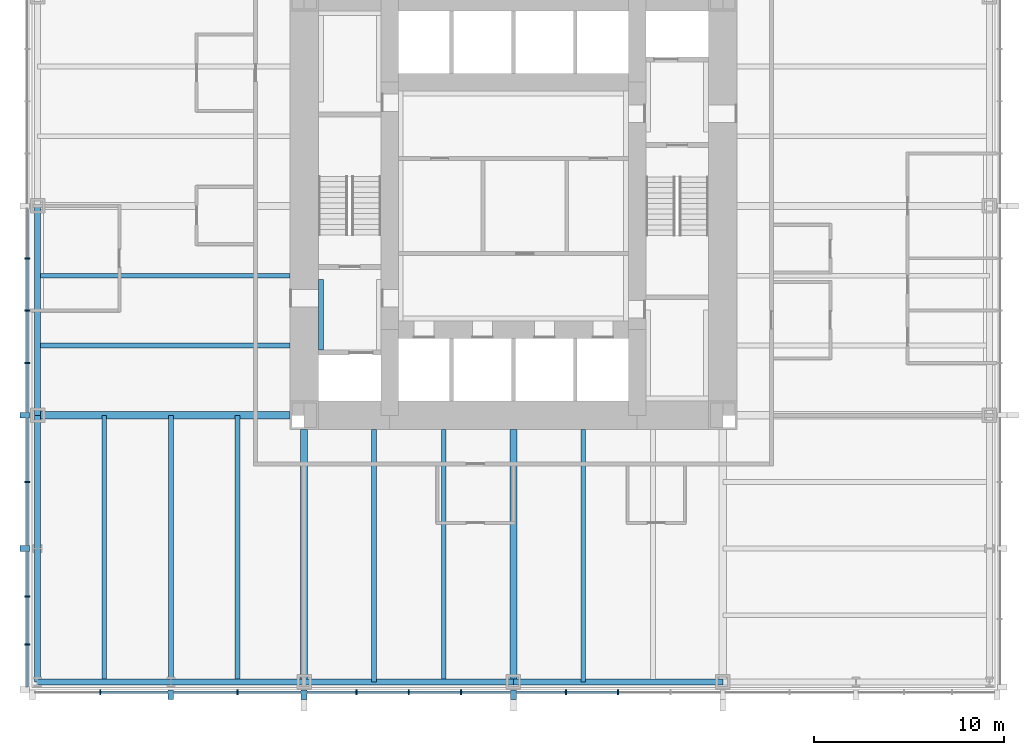
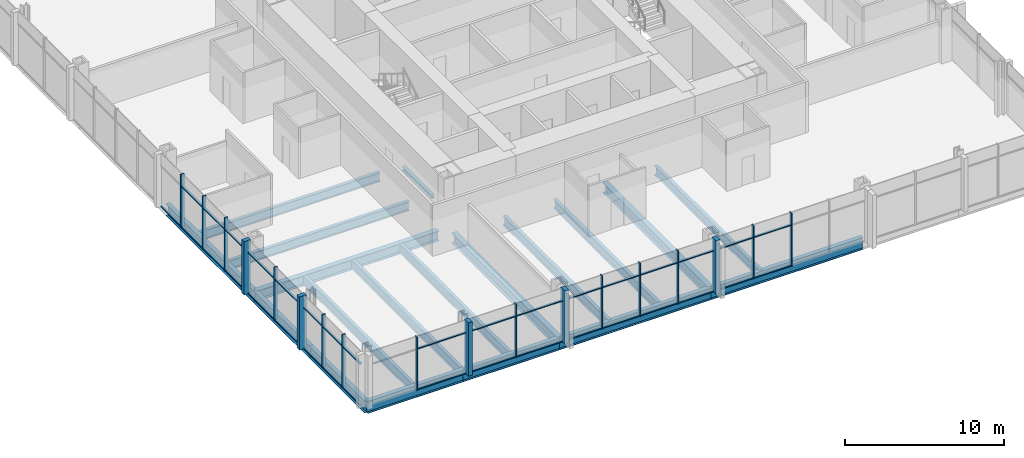
# One storey, part 2 of 12: 53 members, 19 beams, 2 elements without a shape of their own.
"""IFC4 building model written with IfcOpenShell, lengths in metres."""

from ifc_helpers import new_model, si_unit, direction, frame, origin, origin_2d, place, context, subcontext, project, spatial, rectangle, i_section, extrude, material, material_profile, profile_set, type_object, element, aggregate, save


model = new_model("IFC4")

# Units and contexts
model_context = context("Model", 3, precision=1e-05, world=origin(), true_north=direction((0.0, 1.0)))
body_context = subcontext(model_context, "Body", "Model", "MODEL_VIEW")
ifc_project = project(units=[si_unit("LENGTHUNIT", "METRE"), si_unit("AREAUNIT", "SQUARE_METRE"), si_unit("VOLUMEUNIT", "CUBIC_METRE"), si_unit("PLANEANGLEUNIT", "RADIAN"), si_unit("MASSUNIT", "GRAM", prefix="KILO")], contexts=[model_context])

# Site, building, storey
site_placement = place(None, origin())
site = spatial("IfcSite", under=ifc_project, at=site_placement, CompositionType="ELEMENT")
building_placement = place(site_placement, origin())
building = spatial("IfcBuilding", under=site, at=building_placement, Name="Trevanion Tower", CompositionType="ELEMENT")
storey_placement = place(building_placement, frame((0.0, 0.0, 28.300048828125)))
storey = spatial("IfcBuildingStorey", under=building, at=storey_placement, Name="L06", CompositionType="ELEMENT", Elevation=28.300048828125)

# Beams
ifc_material_1 = material(Name="Steel ASTM A992 Grade 50", Category="steel")
ifc_material_profile_1 = material_profile(ifc_material_1, i_section(OverallWidth=0.25390625, OverallDepth=0.700927734375, WebThickness=0.015380859375, FlangeThickness=0.02783203125, at=origin_2d()), Name="W27X129")
ifc_profile_set_1 = profile_set([ifc_material_profile_1], Name="Steel ASTM A992 Grade 50")
beam_type_1 = type_object("IfcBeamType", Name="B3 W27X129", PredefinedType="BEAM", material=ifc_profile_set_1)
for number, where, z_axis, x_axis, name in (
    (1, (-11.75, -3.666748046875, -0.54052734375), (-1.0, 0.0, 0.0), (0.0, -1.0, 0.0), "B3 L06"),
    (2, (-11.75, -7.333251953125, -0.54052734375), (-1.0, 0.0, 0.0), (0.0, -1.0, 0.0), "B3 L06"),
    (3, (-7.333251953125, -11.75, -0.54052734375), (0.0, -1.0, 0.0), (1.0, 0.0, 0.0), "B3 L06"),
    (4, (-3.666748046875, -11.75, -0.54052734375), (0.0, -1.0, 0.0), (1.0, 0.0, 0.0), "B3 L06"),
    (5, (3.666748046875, -11.75, -0.54052734375), (0.0, -1.0, 0.0), (1.0, 0.0, 0.0), "B3 L06"),
):
    element("IfcBeam", number, at=place(storey_placement, frame(where, z_axis=z_axis, x_axis=x_axis)), inside=storey, type_object=beam_type_1, Name=name, PredefinedType="BEAM", context=body_context, shape_type="SweptSolid", body=[
        extrude(i_section(OverallWidth=0.25390625, OverallDepth=0.700927734375, WebThickness=0.015380859375, FlangeThickness=0.02783203125, at=origin_2d()), origin(), (0.0, 0.0, 1.0), 13.25),
    ])
ifc_material_2 = material(Name="Steel ASTM A992 Grade 50", Category="steel")
ifc_material_profile_2 = material_profile(ifc_material_2, i_section(OverallWidth=0.256591796875, OverallDepth=0.693359375, WebThickness=0.014404296875, FlangeThickness=0.023681640625, at=origin_2d()), Name="W27X114")
ifc_profile_set_2 = profile_set([ifc_material_profile_2], Name="Steel ASTM A992 Grade 50")
beam_type_2 = type_object("IfcBeamType", Name="B4 W27X114", PredefinedType="BEAM", material=ifc_profile_set_2)
for number, where, z_axis, x_axis, name in (
    (6, (-14.5, -11.0, -0.536865234375), (0.0, -1.0, 0.0), (1.0, 0.0, 0.0), "B4 L06"),
    (7, (-18.0, -11.0, -0.536865234375), (0.0, -1.0, 0.0), (1.0, 0.0, 0.0), "B4 L06"),
    (8, (-21.5, -11.0, -0.536865234375), (0.0, -1.0, 0.0), (1.0, 0.0, 0.0), "B4 L06"),
):
    element("IfcBeam", number, at=place(storey_placement, frame(where, z_axis=z_axis, x_axis=x_axis)), inside=storey, type_object=beam_type_2, Name=name, PredefinedType="BEAM", context=body_context, shape_type="SweptSolid", body=[
        extrude(i_section(OverallWidth=0.256591796875, OverallDepth=0.693359375, WebThickness=0.014404296875, FlangeThickness=0.023681640625, at=origin_2d()), origin(), (0.0, 0.0, 1.0), 14.0),
    ])

# Curtain wall, members
ifc_material_3 = material(Name="Aluminium and glass", Category="aluminium")
curtain_wall_type = type_object("IfcCurtainWallType", Name="CW1 curtain wall", PredefinedType="USERDEFINED", material=ifc_material_3)
curtain_wall_1_placement = place(storey_placement, origin())
curtain_wall_1 = element("IfcCurtainWall", 9, at=curtain_wall_1_placement, inside=storey, type_object=curtain_wall_type, Name="CW1 L06 2", ObjectType="UNITISED CURTAIN WALL", PredefinedType="USERDEFINED")
ifc_material_4 = material(Name="Aluminium extrusion, anodised bronze", Category="aluminium")
ifc_material_profile_3 = material_profile(ifc_material_4, rectangle(XDim=0.074951171875, YDim=0.25, at=origin_2d()), Name="CW1 mullion")
ifc_profile_set_3 = profile_set([ifc_material_profile_3], Name="Aluminium extrusion, anodised bronze")
member_type_1 = type_object("IfcMemberType", Name="CW1 mullion", PredefinedType="MULLION", material=ifc_profile_set_3)
member_1_placement = place(storey_placement, frame((-25.550048828125, -2.75, -0.18994140625), z_axis=(0.0, 0.0, 1.0), x_axis=(0.0, -1.0, 0.0)))
member_1 = element("IfcMember", 10, at=member_1_placement, type_object=member_type_1, Name="CW1 mullion 10", PredefinedType="MULLION", context=body_context, shape_type="SweptSolid", body=[
    extrude(rectangle(XDim=0.074951171875, YDim=0.25, at=origin_2d()), origin(), (0.0, 0.0, 1.0), 4.099853515625),
])
member_2_placement = place(storey_placement, frame((-25.550048828125, -5.5, -0.18994140625), z_axis=(0.0, 0.0, 1.0), x_axis=(0.0, -1.0, 0.0)))
member_2 = element("IfcMember", 11, at=member_2_placement, type_object=member_type_1, Name="CW1 mullion 11", PredefinedType="MULLION", context=body_context, shape_type="SweptSolid", body=[
    extrude(rectangle(XDim=0.074951171875, YDim=0.25, at=origin_2d()), origin(), (0.0, 0.0, 1.0), 4.099853515625),
])
member_3_placement = place(storey_placement, frame((-25.550048828125, -8.25, -0.18994140625), z_axis=(0.0, 0.0, 1.0), x_axis=(0.0, -1.0, 0.0)))
member_3 = element("IfcMember", 12, at=member_3_placement, type_object=member_type_1, Name="CW1 mullion 12", PredefinedType="MULLION", context=body_context, shape_type="SweptSolid", body=[
    extrude(rectangle(XDim=0.074951171875, YDim=0.25, at=origin_2d()), origin(), (0.0, 0.0, 1.0), 4.099853515625),
])
member_4_placement = place(storey_placement, frame((-25.550048828125, -14.5, -0.18994140625), z_axis=(0.0, 0.0, 1.0), x_axis=(0.0, -1.0, 0.0)))
member_4 = element("IfcMember", 13, at=member_4_placement, type_object=member_type_1, Name="CW1 mullion 14", PredefinedType="MULLION", context=body_context, shape_type="SweptSolid", body=[
    extrude(rectangle(XDim=0.074951171875, YDim=0.25, at=origin_2d()), origin(), (0.0, 0.0, 1.0), 4.099853515625),
])
member_5_placement = place(storey_placement, frame((-25.550048828125, -20.5166015625, -0.18994140625), z_axis=(0.0, 0.0, 1.0), x_axis=(0.0, -1.0, 0.0)))
member_5 = element("IfcMember", 14, at=member_5_placement, type_object=member_type_1, Name="CW1 mullion 16", PredefinedType="MULLION", context=body_context, shape_type="SweptSolid", body=[
    extrude(rectangle(XDim=0.074951171875, YDim=0.25, at=origin_2d()), origin(), (0.0, 0.0, 1.0), 4.099853515625),
])
member_6_placement = place(storey_placement, frame((-25.550048828125, -23.033203125, -0.18994140625), z_axis=(0.0, 0.0, 1.0), x_axis=(0.0, -1.0, 0.0)))
member_6 = element("IfcMember", 15, at=member_6_placement, type_object=member_type_1, Name="CW1 mullion 17", PredefinedType="MULLION", context=body_context, shape_type="SweptSolid", body=[
    extrude(rectangle(XDim=0.074951171875, YDim=0.25, at=origin_2d()), origin(), (0.0, 0.0, 1.0), 4.099853515625),
])

curtain_wall_2_placement = place(storey_placement, origin())
curtain_wall_2 = element("IfcCurtainWall", 16, at=curtain_wall_2_placement, inside=storey, type_object=curtain_wall_type, Name="CW1 L06 3", ObjectType="UNITISED CURTAIN WALL", PredefinedType="USERDEFINED")
member_7_placement = place(storey_placement, frame((-21.7099609375, -25.550048828125, -0.18994140625), z_axis=(0.0, 0.0, 1.0), x_axis=(1.0, 0.0, 0.0)))
member_7 = element("IfcMember", 17, at=member_7_placement, type_object=member_type_1, Name="CW1 mullion 2", PredefinedType="MULLION", context=body_context, shape_type="SweptSolid", body=[
    extrude(rectangle(XDim=0.074951171875, YDim=0.25, at=origin_2d()), origin(), (0.0, 0.0, 1.0), 4.099853515625),
])
member_8_placement = place(storey_placement, frame((-14.5, -25.550048828125, -0.18994140625), z_axis=(0.0, 0.0, 1.0), x_axis=(1.0, 0.0, 0.0)))
member_8 = element("IfcMember", 18, at=member_8_placement, type_object=member_type_1, Name="CW1 mullion 4", PredefinedType="MULLION", context=body_context, shape_type="SweptSolid", body=[
    extrude(rectangle(XDim=0.074951171875, YDim=0.25, at=origin_2d()), origin(), (0.0, 0.0, 1.0), 4.099853515625),
])
member_9_placement = place(storey_placement, frame((-8.25, -25.550048828125, -0.18994140625), z_axis=(0.0, 0.0, 1.0), x_axis=(1.0, 0.0, 0.0)))
member_9 = element("IfcMember", 19, at=member_9_placement, type_object=member_type_1, Name="CW1 mullion 6", PredefinedType="MULLION", context=body_context, shape_type="SweptSolid", body=[
    extrude(rectangle(XDim=0.074951171875, YDim=0.25, at=origin_2d()), origin(), (0.0, 0.0, 1.0), 4.099853515625),
])
member_10_placement = place(storey_placement, frame((-5.5, -25.550048828125, -0.18994140625), z_axis=(0.0, 0.0, 1.0), x_axis=(1.0, 0.0, 0.0)))
member_10 = element("IfcMember", 20, at=member_10_placement, type_object=member_type_1, Name="CW1 mullion 7", PredefinedType="MULLION", context=body_context, shape_type="SweptSolid", body=[
    extrude(rectangle(XDim=0.074951171875, YDim=0.25, at=origin_2d()), origin(), (0.0, 0.0, 1.0), 4.099853515625),
])
member_11_placement = place(storey_placement, frame((-2.75, -25.550048828125, -0.18994140625), z_axis=(0.0, 0.0, 1.0), x_axis=(1.0, 0.0, 0.0)))
member_11 = element("IfcMember", 21, at=member_11_placement, type_object=member_type_1, Name="CW1 mullion 8", PredefinedType="MULLION", context=body_context, shape_type="SweptSolid", body=[
    extrude(rectangle(XDim=0.074951171875, YDim=0.25, at=origin_2d()), origin(), (0.0, 0.0, 1.0), 4.099853515625),
])
member_12_placement = place(storey_placement, frame((2.75, -25.550048828125, -0.18994140625), z_axis=(0.0, 0.0, 1.0), x_axis=(1.0, 0.0, 0.0)))
member_12 = element("IfcMember", 22, at=member_12_placement, type_object=member_type_1, Name="CW1 mullion 10", PredefinedType="MULLION", context=body_context, shape_type="SweptSolid", body=[
    extrude(rectangle(XDim=0.074951171875, YDim=0.25, at=origin_2d()), origin(), (0.0, 0.0, 1.0), 4.099853515625),
])
member_13_placement = place(storey_placement, frame((5.5, -25.550048828125, -0.18994140625), z_axis=(0.0, 0.0, 1.0), x_axis=(1.0, 0.0, 0.0)))
member_13 = element("IfcMember", 23, at=member_13_placement, type_object=member_type_1, Name="CW1 mullion 11", PredefinedType="MULLION", context=body_context, shape_type="SweptSolid", body=[
    extrude(rectangle(XDim=0.074951171875, YDim=0.25, at=origin_2d()), origin(), (0.0, 0.0, 1.0), 4.099853515625),
])

# Member
ifc_material_5 = material(Name="Aluminium extrusion, anodised bronze", Category="aluminium")
ifc_material_profile_4 = material_profile(ifc_material_5, rectangle(XDim=0.300048828125, YDim=0.5, at=origin_2d()), Name="CW1 pier mullion")
ifc_profile_set_4 = profile_set([ifc_material_profile_4], Name="Aluminium extrusion, anodised bronze")
member_type_2 = type_object("IfcMemberType", Name="CW1 pier mullion", PredefinedType="MULLION", material=ifc_profile_set_4)
member_14_placement = place(storey_placement, frame((-25.675048828125, -11.0, -0.18994140625), z_axis=(0.0, 0.0, 1.0), x_axis=(0.0, -1.0, 0.0)))
member_14 = element("IfcMember", 24, at=member_14_placement, type_object=member_type_2, Name="CW1 pier mullion 13", PredefinedType="MULLION", context=body_context, shape_type="SweptSolid", body=[
    extrude(rectangle(XDim=0.300048828125, YDim=0.5, at=origin_2d()), origin(), (0.0, 0.0, 1.0), 4.099853515625),
])

member_15_placement = place(storey_placement, frame((-25.675048828125, -18.0, -0.18994140625), z_axis=(0.0, 0.0, 1.0), x_axis=(0.0, -1.0, 0.0)))
member_15 = element("IfcMember", 25, at=member_15_placement, type_object=member_type_2, Name="CW1 pier mullion 15", PredefinedType="MULLION", context=body_context, shape_type="SweptSolid", body=[
    extrude(rectangle(XDim=0.300048828125, YDim=0.5, at=origin_2d()), origin(), (0.0, 0.0, 1.0), 4.099853515625),
])

member_16_placement = place(storey_placement, frame((-18.0, -25.675048828125, -0.18994140625), z_axis=(0.0, 0.0, 1.0), x_axis=(1.0, 0.0, 0.0)))
member_16 = element("IfcMember", 26, at=member_16_placement, type_object=member_type_2, Name="CW1 pier mullion 3", PredefinedType="MULLION", context=body_context, shape_type="SweptSolid", body=[
    extrude(rectangle(XDim=0.300048828125, YDim=0.5, at=origin_2d()), origin(), (0.0, 0.0, 1.0), 4.099853515625),
])

member_17_placement = place(storey_placement, frame((-11.0, -25.675048828125, -0.18994140625), z_axis=(0.0, 0.0, 1.0), x_axis=(1.0, 0.0, 0.0)))
member_17 = element("IfcMember", 27, at=member_17_placement, type_object=member_type_2, Name="CW1 pier mullion 5", PredefinedType="MULLION", context=body_context, shape_type="SweptSolid", body=[
    extrude(rectangle(XDim=0.300048828125, YDim=0.5, at=origin_2d()), origin(), (0.0, 0.0, 1.0), 4.099853515625),
])

member_18_placement = place(storey_placement, frame((0.0, -25.675048828125, -0.18994140625), z_axis=(0.0, 0.0, 1.0), x_axis=(1.0, 0.0, 0.0)))
member_18 = element("IfcMember", 28, at=member_18_placement, type_object=member_type_2, Name="CW1 pier mullion 9", PredefinedType="MULLION", context=body_context, shape_type="SweptSolid", body=[
    extrude(rectangle(XDim=0.300048828125, YDim=0.5, at=origin_2d()), origin(), (0.0, 0.0, 1.0), 4.099853515625),
])

ifc_material_6 = material(Name="Aluminium extrusion, anodised bronze", Category="aluminium")
ifc_material_profile_5 = material_profile(ifc_material_6, rectangle(XDim=0.14990234375, YDim=0.074951171875, at=origin_2d()), Name="CW1 transom")
ifc_profile_set_5 = profile_set([ifc_material_profile_5], Name="Aluminium extrusion, anodised bronze")
member_type_3 = type_object("IfcMemberType", Name="CW1 transom", PredefinedType="USERDEFINED", material=ifc_profile_set_5)
member_19_placement = place(storey_placement, frame((-25.550048828125, -0.14990234375, -0.152587890625), z_axis=(0.0, -1.0, 0.0), x_axis=(1.0, 0.0, 0.0)))
member_19 = element("IfcMember", 29, at=member_19_placement, type_object=member_type_3, Name="CW1 transom 9.1", ObjectType="TRANSOM", PredefinedType="USERDEFINED", context=body_context, shape_type="SweptSolid", body=[
    extrude(rectangle(XDim=0.14990234375, YDim=0.074951171875, at=origin_2d()), origin(), (0.0, 0.0, 1.0), 2.5625),
])

member_20_placement = place(storey_placement, frame((-25.550048828125, -2.78759765625, -0.152587890625), z_axis=(0.0, -1.0, 0.0), x_axis=(1.0, 0.0, 0.0)))
member_20 = element("IfcMember", 30, at=member_20_placement, type_object=member_type_3, Name="CW1 transom 10.1", ObjectType="TRANSOM", PredefinedType="USERDEFINED", context=body_context, shape_type="SweptSolid", body=[
    extrude(rectangle(XDim=0.14990234375, YDim=0.074951171875, at=origin_2d()), origin(), (0.0, 0.0, 1.0), 2.6748046875),
])

member_21_placement = place(storey_placement, frame((-25.550048828125, -2.78759765625, 2.9599609375), z_axis=(0.0, -1.0, 0.0), x_axis=(1.0, 0.0, 0.0)))
member_21 = element("IfcMember", 31, at=member_21_placement, type_object=member_type_3, Name="CW1 transom 10.2", ObjectType="TRANSOM", PredefinedType="USERDEFINED", context=body_context, shape_type="SweptSolid", body=[
    extrude(rectangle(XDim=0.14990234375, YDim=0.074951171875, at=origin_2d()), origin(), (0.0, 0.0, 1.0), 2.6748046875),
])

member_22_placement = place(storey_placement, frame((-25.550048828125, -5.53759765625, -0.152587890625), z_axis=(0.0, -1.0, 0.0), x_axis=(1.0, 0.0, 0.0)))
member_22 = element("IfcMember", 32, at=member_22_placement, type_object=member_type_3, Name="CW1 transom 11.1", ObjectType="TRANSOM", PredefinedType="USERDEFINED", context=body_context, shape_type="SweptSolid", body=[
    extrude(rectangle(XDim=0.14990234375, YDim=0.074951171875, at=origin_2d()), origin(), (0.0, 0.0, 1.0), 2.6748046875),
])

member_23_placement = place(storey_placement, frame((-25.550048828125, -5.53759765625, 2.9599609375), z_axis=(0.0, -1.0, 0.0), x_axis=(1.0, 0.0, 0.0)))
member_23 = element("IfcMember", 33, at=member_23_placement, type_object=member_type_3, Name="CW1 transom 11.2", ObjectType="TRANSOM", PredefinedType="USERDEFINED", context=body_context, shape_type="SweptSolid", body=[
    extrude(rectangle(XDim=0.14990234375, YDim=0.074951171875, at=origin_2d()), origin(), (0.0, 0.0, 1.0), 2.6748046875),
])

member_24_placement = place(storey_placement, frame((-25.550048828125, -8.28759765625, -0.152587890625), z_axis=(0.0, -1.0, 0.0), x_axis=(1.0, 0.0, 0.0)))
member_24 = element("IfcMember", 34, at=member_24_placement, type_object=member_type_3, Name="CW1 transom 12.1", ObjectType="TRANSOM", PredefinedType="USERDEFINED", context=body_context, shape_type="SweptSolid", body=[
    extrude(rectangle(XDim=0.14990234375, YDim=0.074951171875, at=origin_2d()), origin(), (0.0, 0.0, 1.0), 2.5625),
])

member_25_placement = place(storey_placement, frame((-25.550048828125, -8.28759765625, 2.9599609375), z_axis=(0.0, -1.0, 0.0), x_axis=(1.0, 0.0, 0.0)))
member_25 = element("IfcMember", 35, at=member_25_placement, type_object=member_type_3, Name="CW1 transom 12.2", ObjectType="TRANSOM", PredefinedType="USERDEFINED", context=body_context, shape_type="SweptSolid", body=[
    extrude(rectangle(XDim=0.14990234375, YDim=0.074951171875, at=origin_2d()), origin(), (0.0, 0.0, 1.0), 2.5625),
])

member_26_placement = place(storey_placement, frame((-25.550048828125, -11.14990234375, -0.152587890625), z_axis=(0.0, -1.0, 0.0), x_axis=(1.0, 0.0, 0.0)))
member_26 = element("IfcMember", 36, at=member_26_placement, type_object=member_type_3, Name="CW1 transom 13.1", ObjectType="TRANSOM", PredefinedType="USERDEFINED", context=body_context, shape_type="SweptSolid", body=[
    extrude(rectangle(XDim=0.14990234375, YDim=0.074951171875, at=origin_2d()), origin(), (0.0, 0.0, 1.0), 3.3125),
])

member_27_placement = place(storey_placement, frame((-25.550048828125, -11.14990234375, 2.9599609375), z_axis=(0.0, -1.0, 0.0), x_axis=(1.0, 0.0, 0.0)))
member_27 = element("IfcMember", 37, at=member_27_placement, type_object=member_type_3, Name="CW1 transom 13.2", ObjectType="TRANSOM", PredefinedType="USERDEFINED", context=body_context, shape_type="SweptSolid", body=[
    extrude(rectangle(XDim=0.14990234375, YDim=0.074951171875, at=origin_2d()), origin(), (0.0, 0.0, 1.0), 3.3125),
])

member_28_placement = place(storey_placement, frame((-25.550048828125, -14.53759765625, -0.152587890625), z_axis=(0.0, -1.0, 0.0), x_axis=(1.0, 0.0, 0.0)))
member_28 = element("IfcMember", 38, at=member_28_placement, type_object=member_type_3, Name="CW1 transom 14.1", ObjectType="TRANSOM", PredefinedType="USERDEFINED", context=body_context, shape_type="SweptSolid", body=[
    extrude(rectangle(XDim=0.14990234375, YDim=0.074951171875, at=origin_2d()), origin(), (0.0, 0.0, 1.0), 3.3125),
])

member_29_placement = place(storey_placement, frame((-25.550048828125, -14.53759765625, 2.9599609375), z_axis=(0.0, -1.0, 0.0), x_axis=(1.0, 0.0, 0.0)))
member_29 = element("IfcMember", 39, at=member_29_placement, type_object=member_type_3, Name="CW1 transom 14.2", ObjectType="TRANSOM", PredefinedType="USERDEFINED", context=body_context, shape_type="SweptSolid", body=[
    extrude(rectangle(XDim=0.14990234375, YDim=0.074951171875, at=origin_2d()), origin(), (0.0, 0.0, 1.0), 3.3125),
])

member_30_placement = place(storey_placement, frame((-25.550048828125, -18.14990234375, -0.152587890625), z_axis=(0.0, -1.0, 0.0), x_axis=(1.0, 0.0, 0.0)))
member_30 = element("IfcMember", 40, at=member_30_placement, type_object=member_type_3, Name="CW1 transom 15.1", ObjectType="TRANSOM", PredefinedType="USERDEFINED", context=body_context, shape_type="SweptSolid", body=[
    extrude(rectangle(XDim=0.14990234375, YDim=0.074951171875, at=origin_2d()), origin(), (0.0, 0.0, 1.0), 2.329345703125),
])

member_31_placement = place(storey_placement, frame((-25.550048828125, -18.14990234375, 2.9599609375), z_axis=(0.0, -1.0, 0.0), x_axis=(1.0, 0.0, 0.0)))
member_31 = element("IfcMember", 41, at=member_31_placement, type_object=member_type_3, Name="CW1 transom 15.2", ObjectType="TRANSOM", PredefinedType="USERDEFINED", context=body_context, shape_type="SweptSolid", body=[
    extrude(rectangle(XDim=0.14990234375, YDim=0.074951171875, at=origin_2d()), origin(), (0.0, 0.0, 1.0), 2.329345703125),
])

member_32_placement = place(storey_placement, frame((-25.550048828125, -20.55419921875, -0.152587890625), z_axis=(0.0, -1.0, 0.0), x_axis=(1.0, 0.0, 0.0)))
member_32 = element("IfcMember", 42, at=member_32_placement, type_object=member_type_3, Name="CW1 transom 16.1", ObjectType="TRANSOM", PredefinedType="USERDEFINED", context=body_context, shape_type="SweptSolid", body=[
    extrude(rectangle(XDim=0.14990234375, YDim=0.074951171875, at=origin_2d()), origin(), (0.0, 0.0, 1.0), 2.441650390625),
])

member_33_placement = place(storey_placement, frame((-25.550048828125, -20.55419921875, 2.9599609375), z_axis=(0.0, -1.0, 0.0), x_axis=(1.0, 0.0, 0.0)))
member_33 = element("IfcMember", 43, at=member_33_placement, type_object=member_type_3, Name="CW1 transom 16.2", ObjectType="TRANSOM", PredefinedType="USERDEFINED", context=body_context, shape_type="SweptSolid", body=[
    extrude(rectangle(XDim=0.14990234375, YDim=0.074951171875, at=origin_2d()), origin(), (0.0, 0.0, 1.0), 2.441650390625),
])

member_34_placement = place(storey_placement, frame((-25.550048828125, -23.07080078125, -0.152587890625), z_axis=(0.0, -1.0, 0.0), x_axis=(1.0, 0.0, 0.0)))
member_34 = element("IfcMember", 44, at=member_34_placement, type_object=member_type_3, Name="CW1 transom 17.1", ObjectType="TRANSOM", PredefinedType="USERDEFINED", context=body_context, shape_type="SweptSolid", body=[
    extrude(rectangle(XDim=0.14990234375, YDim=0.074951171875, at=origin_2d()), origin(), (0.0, 0.0, 1.0), 2.17919921875),
])

member_35_placement = place(storey_placement, frame((-25.550048828125, -23.07080078125, 2.9599609375), z_axis=(0.0, -1.0, 0.0), x_axis=(1.0, 0.0, 0.0)))
member_35 = element("IfcMember", 45, at=member_35_placement, type_object=member_type_3, Name="CW1 transom 17.2", ObjectType="TRANSOM", PredefinedType="USERDEFINED", context=body_context, shape_type="SweptSolid", body=[
    extrude(rectangle(XDim=0.14990234375, YDim=0.074951171875, at=origin_2d()), origin(), (0.0, 0.0, 1.0), 2.17919921875),
])

aggregate(curtain_wall_1, [member_1, member_2, member_3, member_14, member_4, member_15, member_5, member_6, member_19, member_20, member_21, member_22, member_23, member_24, member_25, member_26, member_27, member_28, member_29, member_30, member_31, member_32, member_33, member_34, member_35])

member_36_placement = place(storey_placement, frame((-21.672607421875, -25.550048828125, -0.152587890625), z_axis=(1.0, 0.0, 0.0), x_axis=(0.0, 1.0, 0.0)))
member_36 = element("IfcMember", 46, at=member_36_placement, type_object=member_type_3, Name="CW1 transom 2.1", ObjectType="TRANSOM", PredefinedType="USERDEFINED", context=body_context, shape_type="SweptSolid", body=[
    extrude(rectangle(XDim=0.14990234375, YDim=0.074951171875, at=origin_2d()), origin(), (0.0, 0.0, 1.0), 3.522705078125),
])

member_37_placement = place(storey_placement, frame((-21.672607421875, -25.550048828125, 2.9599609375), z_axis=(1.0, 0.0, 0.0), x_axis=(0.0, 1.0, 0.0)))
member_37 = element("IfcMember", 47, at=member_37_placement, type_object=member_type_3, Name="CW1 transom 2.2", ObjectType="TRANSOM", PredefinedType="USERDEFINED", context=body_context, shape_type="SweptSolid", body=[
    extrude(rectangle(XDim=0.14990234375, YDim=0.074951171875, at=origin_2d()), origin(), (0.0, 0.0, 1.0), 3.522705078125),
])

member_38_placement = place(storey_placement, frame((-17.85009765625, -25.550048828125, -0.152587890625), z_axis=(1.0, 0.0, 0.0), x_axis=(0.0, 1.0, 0.0)))
member_38 = element("IfcMember", 48, at=member_38_placement, type_object=member_type_3, Name="CW1 transom 3.1", ObjectType="TRANSOM", PredefinedType="USERDEFINED", context=body_context, shape_type="SweptSolid", body=[
    extrude(rectangle(XDim=0.14990234375, YDim=0.074951171875, at=origin_2d()), origin(), (0.0, 0.0, 1.0), 3.3125),
])

member_39_placement = place(storey_placement, frame((-17.85009765625, -25.550048828125, 2.9599609375), z_axis=(1.0, 0.0, 0.0), x_axis=(0.0, 1.0, 0.0)))
member_39 = element("IfcMember", 49, at=member_39_placement, type_object=member_type_3, Name="CW1 transom 3.2", ObjectType="TRANSOM", PredefinedType="USERDEFINED", context=body_context, shape_type="SweptSolid", body=[
    extrude(rectangle(XDim=0.14990234375, YDim=0.074951171875, at=origin_2d()), origin(), (0.0, 0.0, 1.0), 3.3125),
])

member_40_placement = place(storey_placement, frame((-14.46240234375, -25.550048828125, -0.152587890625), z_axis=(1.0, 0.0, 0.0), x_axis=(0.0, 1.0, 0.0)))
member_40 = element("IfcMember", 50, at=member_40_placement, type_object=member_type_3, Name="CW1 transom 4.1", ObjectType="TRANSOM", PredefinedType="USERDEFINED", context=body_context, shape_type="SweptSolid", body=[
    extrude(rectangle(XDim=0.14990234375, YDim=0.074951171875, at=origin_2d()), origin(), (0.0, 0.0, 1.0), 3.3125),
])

member_41_placement = place(storey_placement, frame((-14.46240234375, -25.550048828125, 2.9599609375), z_axis=(1.0, 0.0, 0.0), x_axis=(0.0, 1.0, 0.0)))
member_41 = element("IfcMember", 51, at=member_41_placement, type_object=member_type_3, Name="CW1 transom 4.2", ObjectType="TRANSOM", PredefinedType="USERDEFINED", context=body_context, shape_type="SweptSolid", body=[
    extrude(rectangle(XDim=0.14990234375, YDim=0.074951171875, at=origin_2d()), origin(), (0.0, 0.0, 1.0), 3.3125),
])

member_42_placement = place(storey_placement, frame((-10.85009765625, -25.550048828125, -0.152587890625), z_axis=(1.0, 0.0, 0.0), x_axis=(0.0, 1.0, 0.0)))
member_42 = element("IfcMember", 52, at=member_42_placement, type_object=member_type_3, Name="CW1 transom 5.1", ObjectType="TRANSOM", PredefinedType="USERDEFINED", context=body_context, shape_type="SweptSolid", body=[
    extrude(rectangle(XDim=0.14990234375, YDim=0.074951171875, at=origin_2d()), origin(), (0.0, 0.0, 1.0), 2.5625),
])

member_43_placement = place(storey_placement, frame((-10.85009765625, -25.550048828125, 2.9599609375), z_axis=(1.0, 0.0, 0.0), x_axis=(0.0, 1.0, 0.0)))
member_43 = element("IfcMember", 53, at=member_43_placement, type_object=member_type_3, Name="CW1 transom 5.2", ObjectType="TRANSOM", PredefinedType="USERDEFINED", context=body_context, shape_type="SweptSolid", body=[
    extrude(rectangle(XDim=0.14990234375, YDim=0.074951171875, at=origin_2d()), origin(), (0.0, 0.0, 1.0), 2.5625),
])

member_44_placement = place(storey_placement, frame((-8.21240234375, -25.550048828125, -0.152587890625), z_axis=(1.0, 0.0, 0.0), x_axis=(0.0, 1.0, 0.0)))
member_44 = element("IfcMember", 54, at=member_44_placement, type_object=member_type_3, Name="CW1 transom 6.1", ObjectType="TRANSOM", PredefinedType="USERDEFINED", context=body_context, shape_type="SweptSolid", body=[
    extrude(rectangle(XDim=0.14990234375, YDim=0.074951171875, at=origin_2d()), origin(), (0.0, 0.0, 1.0), 2.6748046875),
])

member_45_placement = place(storey_placement, frame((-8.21240234375, -25.550048828125, 2.9599609375), z_axis=(1.0, 0.0, 0.0), x_axis=(0.0, 1.0, 0.0)))
member_45 = element("IfcMember", 55, at=member_45_placement, type_object=member_type_3, Name="CW1 transom 6.2", ObjectType="TRANSOM", PredefinedType="USERDEFINED", context=body_context, shape_type="SweptSolid", body=[
    extrude(rectangle(XDim=0.14990234375, YDim=0.074951171875, at=origin_2d()), origin(), (0.0, 0.0, 1.0), 2.6748046875),
])

member_46_placement = place(storey_placement, frame((-5.46240234375, -25.550048828125, -0.152587890625), z_axis=(1.0, 0.0, 0.0), x_axis=(0.0, 1.0, 0.0)))
member_46 = element("IfcMember", 56, at=member_46_placement, type_object=member_type_3, Name="CW1 transom 7.1", ObjectType="TRANSOM", PredefinedType="USERDEFINED", context=body_context, shape_type="SweptSolid", body=[
    extrude(rectangle(XDim=0.14990234375, YDim=0.074951171875, at=origin_2d()), origin(), (0.0, 0.0, 1.0), 2.6748046875),
])

member_47_placement = place(storey_placement, frame((-5.46240234375, -25.550048828125, 2.9599609375), z_axis=(1.0, 0.0, 0.0), x_axis=(0.0, 1.0, 0.0)))
member_47 = element("IfcMember", 57, at=member_47_placement, type_object=member_type_3, Name="CW1 transom 7.2", ObjectType="TRANSOM", PredefinedType="USERDEFINED", context=body_context, shape_type="SweptSolid", body=[
    extrude(rectangle(XDim=0.14990234375, YDim=0.074951171875, at=origin_2d()), origin(), (0.0, 0.0, 1.0), 2.6748046875),
])

member_48_placement = place(storey_placement, frame((-2.71240234375, -25.550048828125, -0.152587890625), z_axis=(1.0, 0.0, 0.0), x_axis=(0.0, 1.0, 0.0)))
member_48 = element("IfcMember", 58, at=member_48_placement, type_object=member_type_3, Name="CW1 transom 8.1", ObjectType="TRANSOM", PredefinedType="USERDEFINED", context=body_context, shape_type="SweptSolid", body=[
    extrude(rectangle(XDim=0.14990234375, YDim=0.074951171875, at=origin_2d()), origin(), (0.0, 0.0, 1.0), 2.5625),
])

member_49_placement = place(storey_placement, frame((-2.71240234375, -25.550048828125, 2.9599609375), z_axis=(1.0, 0.0, 0.0), x_axis=(0.0, 1.0, 0.0)))
member_49 = element("IfcMember", 59, at=member_49_placement, type_object=member_type_3, Name="CW1 transom 8.2", ObjectType="TRANSOM", PredefinedType="USERDEFINED", context=body_context, shape_type="SweptSolid", body=[
    extrude(rectangle(XDim=0.14990234375, YDim=0.074951171875, at=origin_2d()), origin(), (0.0, 0.0, 1.0), 2.5625),
])

member_50_placement = place(storey_placement, frame((0.14990234375, -25.550048828125, -0.152587890625), z_axis=(1.0, 0.0, 0.0), x_axis=(0.0, 1.0, 0.0)))
member_50 = element("IfcMember", 60, at=member_50_placement, type_object=member_type_3, Name="CW1 transom 9.1", ObjectType="TRANSOM", PredefinedType="USERDEFINED", context=body_context, shape_type="SweptSolid", body=[
    extrude(rectangle(XDim=0.14990234375, YDim=0.074951171875, at=origin_2d()), origin(), (0.0, 0.0, 1.0), 2.5625),
])

member_51_placement = place(storey_placement, frame((0.14990234375, -25.550048828125, 2.9599609375), z_axis=(1.0, 0.0, 0.0), x_axis=(0.0, 1.0, 0.0)))
member_51 = element("IfcMember", 61, at=member_51_placement, type_object=member_type_3, Name="CW1 transom 9.2", ObjectType="TRANSOM", PredefinedType="USERDEFINED", context=body_context, shape_type="SweptSolid", body=[
    extrude(rectangle(XDim=0.14990234375, YDim=0.074951171875, at=origin_2d()), origin(), (0.0, 0.0, 1.0), 2.5625),
])

member_52_placement = place(storey_placement, frame((2.78759765625, -25.550048828125, -0.152587890625), z_axis=(1.0, 0.0, 0.0), x_axis=(0.0, 1.0, 0.0)))
member_52 = element("IfcMember", 62, at=member_52_placement, type_object=member_type_3, Name="CW1 transom 10.1", ObjectType="TRANSOM", PredefinedType="USERDEFINED", context=body_context, shape_type="SweptSolid", body=[
    extrude(rectangle(XDim=0.14990234375, YDim=0.074951171875, at=origin_2d()), origin(), (0.0, 0.0, 1.0), 2.6748046875),
])

member_53_placement = place(storey_placement, frame((2.78759765625, -25.550048828125, 2.9599609375), z_axis=(1.0, 0.0, 0.0), x_axis=(0.0, 1.0, 0.0)))
member_53 = element("IfcMember", 63, at=member_53_placement, type_object=member_type_3, Name="CW1 transom 10.2", ObjectType="TRANSOM", PredefinedType="USERDEFINED", context=body_context, shape_type="SweptSolid", body=[
    extrude(rectangle(XDim=0.14990234375, YDim=0.074951171875, at=origin_2d()), origin(), (0.0, 0.0, 1.0), 2.6748046875),
])

aggregate(curtain_wall_2, [member_7, member_16, member_8, member_17, member_9, member_10, member_11, member_18, member_12, member_13, member_36, member_37, member_38, member_39, member_40, member_41, member_42, member_43, member_44, member_45, member_46, member_47, member_48, member_49, member_50, member_51, member_52, member_53])

# Beams
ifc_material_7 = material(Name="Steel ASTM A992 Grade 50", Category="steel")
ifc_material_profile_6 = material_profile(ifc_material_7, i_section(OverallWidth=0.381103515625, OverallDepth=0.77978515625, WebThickness=0.01806640625, FlangeThickness=0.0302734375, at=origin_2d()), Name="W30X191")
ifc_profile_set_6 = profile_set([ifc_material_profile_6], Name="Steel ASTM A992 Grade 50")
beam_type_3 = type_object("IfcBeamType", Name="G2 W30X191", PredefinedType="BEAM", material=ifc_profile_set_6)
for number, where, z_axis, x_axis, name in (
    (64, (-11.75, -11.0, -0.579833984375), (-1.0, 0.0, 0.0), (0.0, -1.0, 0.0), "G2 L06"),
    (65, (-11.0, -11.75, -0.579833984375), (0.0, -1.0, 0.0), (1.0, 0.0, 0.0), "G2 L06"),
    (66, (0.0, -11.75, -0.579833984375), (0.0, -1.0, 0.0), (1.0, 0.0, 0.0), "G2 L06"),
):
    element("IfcBeam", number, at=place(storey_placement, frame(where, z_axis=z_axis, x_axis=x_axis)), inside=storey, type_object=beam_type_3, Name=name, PredefinedType="BEAM", context=body_context, shape_type="SweptSolid", body=[
        extrude(i_section(OverallWidth=0.381103515625, OverallDepth=0.77978515625, WebThickness=0.01806640625, FlangeThickness=0.0302734375, at=origin_2d()), origin(), (0.0, 0.0, 1.0), 13.25),
    ])
ifc_material_8 = material(Name="Steel ASTM A992 Grade 50", Category="steel")
ifc_material_profile_7 = material_profile(ifc_material_8, i_section(OverallWidth=0.256591796875, OverallDepth=0.26416015625, WebThickness=0.011962890625, FlangeThickness=0.01953125, at=origin_2d()), Name="W10X68")
ifc_profile_set_7 = profile_set([ifc_material_profile_7], Name="Steel ASTM A992 Grade 50")
beam_type_4 = type_object("IfcBeamType", Name="LB1 W10X68", PredefinedType="BEAM", material=ifc_profile_set_7)
beam_1_placement = place(storey_placement, frame((-10.12158203125, -7.574951171875, -0.33203125), z_axis=(0.0, 1.0, 0.0), x_axis=(-1.0, 0.0, 0.0)))
element("IfcBeam", 67, at=beam_1_placement, inside=storey, type_object=beam_type_4, Name="LB1 L06", PredefinedType="BEAM", context=body_context, shape_type="SweptSolid", body=[
    extrude(i_section(OverallWidth=0.256591796875, OverallDepth=0.26416015625, WebThickness=0.011962890625, FlangeThickness=0.01953125, at=origin_2d()), origin(), (0.0, 0.0, 1.0), 3.699951171875),
])
ifc_material_9 = material(Name="Steel ASTM A992 Grade 50", Category="steel")
ifc_material_profile_8 = material_profile(ifc_material_9, i_section(OverallWidth=0.307373046875, OverallDepth=0.927001953125, WebThickness=0.01953125, FlangeThickness=0.031982421875, at=origin_2d()), Name="W36X194")
ifc_profile_set_8 = profile_set([ifc_material_profile_8], Name="Steel ASTM A992 Grade 50")
beam_type_5 = type_object("IfcBeamType", Name="SB2 W36X194", PredefinedType="SPANDREL", material=ifc_profile_set_8)
beam_2_placement = place(storey_placement, frame((-25.0, 0.0, -0.653564453125), z_axis=(0.0, -1.0, 0.0), x_axis=(1.0, 0.0, 0.0)))
element("IfcBeam", 68, at=beam_2_placement, inside=storey, type_object=beam_type_5, Name="SB2 L06", PredefinedType="SPANDREL", context=body_context, shape_type="SweptSolid", body=[
    extrude(i_section(OverallWidth=0.307373046875, OverallDepth=0.927001953125, WebThickness=0.01953125, FlangeThickness=0.031982421875, at=origin_2d()), origin(), (0.0, 0.0, 1.0), 11.0),
])
for number, where, z_axis, x_axis, name in (
    (69, (-25.0, -11.0, -0.653564453125), (0.0, -1.0, 0.0), (1.0, 0.0, 0.0), "SB2 L06"),
    (70, (-25.0, -18.0, -0.653564453125), (0.0, -1.0, 0.0), (1.0, 0.0, 0.0), "SB2 L06"),
    (71, (-25.0, -25.0, -0.653564453125), (1.0, 0.0, 0.0), (0.0, 1.0, 0.0), "SB2 L06"),
    (72, (-18.0, -25.0, -0.653564453125), (1.0, 0.0, 0.0), (0.0, 1.0, 0.0), "SB2 L06"),
):
    element("IfcBeam", number, at=place(storey_placement, frame(where, z_axis=z_axis, x_axis=x_axis)), inside=storey, type_object=beam_type_5, Name=name, PredefinedType="SPANDREL", context=body_context, shape_type="SweptSolid", body=[
        extrude(i_section(OverallWidth=0.307373046875, OverallDepth=0.927001953125, WebThickness=0.01953125, FlangeThickness=0.031982421875, at=origin_2d()), origin(), (0.0, 0.0, 1.0), 7.0),
    ])
for number, where, z_axis, x_axis, name in (
    (73, (-11.0, -25.0, -0.653564453125), (1.0, 0.0, 0.0), (0.0, 1.0, 0.0), "SB2 L06"),
    (74, (0.0, -25.0, -0.653564453125), (1.0, 0.0, 0.0), (0.0, 1.0, 0.0), "SB2 L06"),
):
    element("IfcBeam", number, at=place(storey_placement, frame(where, z_axis=z_axis, x_axis=x_axis)), inside=storey, type_object=beam_type_5, Name=name, PredefinedType="SPANDREL", context=body_context, shape_type="SweptSolid", body=[
        extrude(i_section(OverallWidth=0.307373046875, OverallDepth=0.927001953125, WebThickness=0.01953125, FlangeThickness=0.031982421875, at=origin_2d()), origin(), (0.0, 0.0, 1.0), 11.0),
    ])

save(model, "model.ifc")
